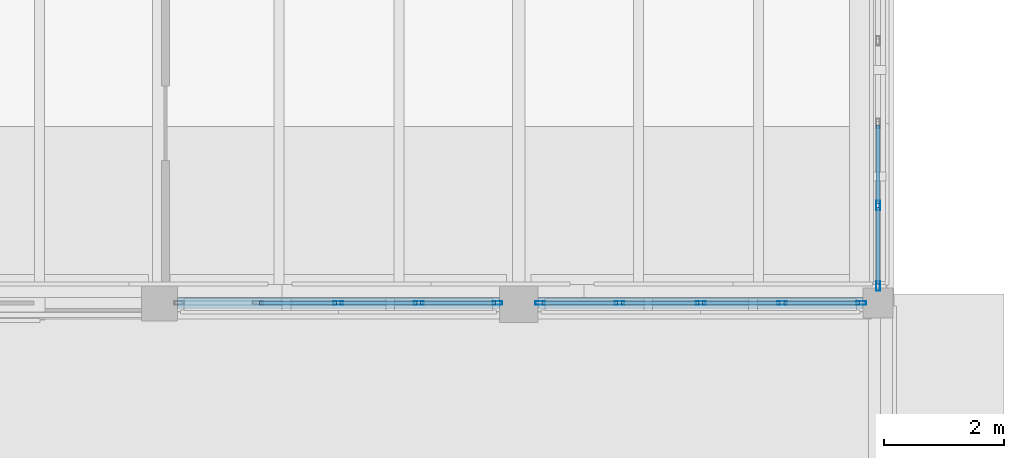
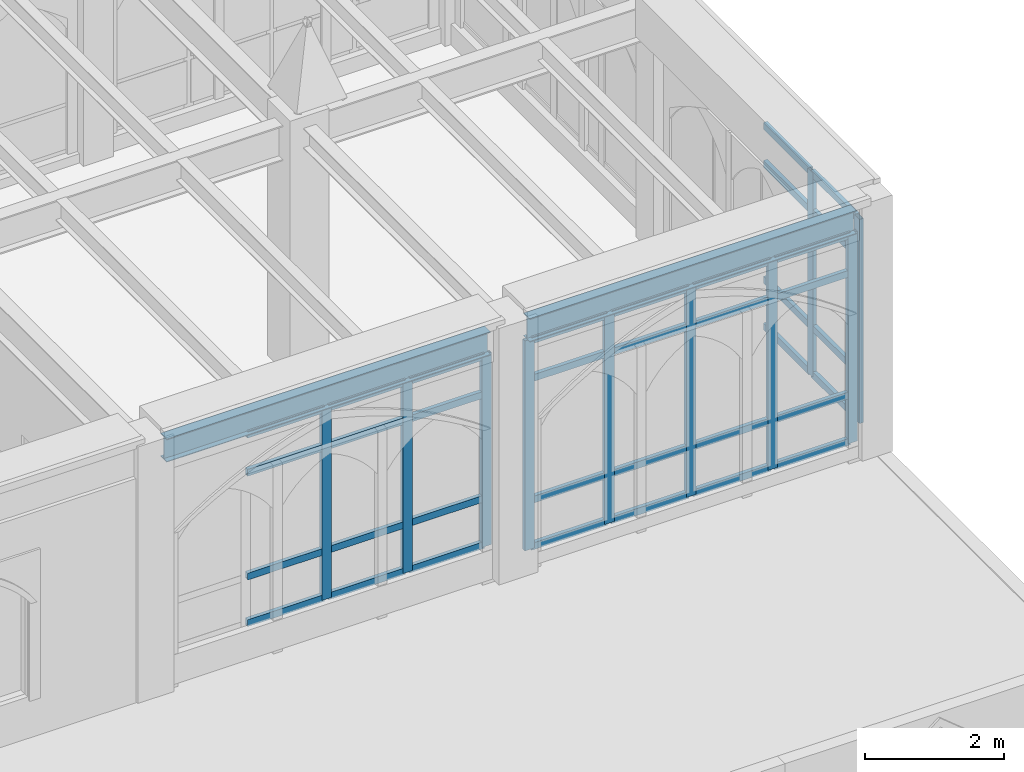
# One storey, part 73 of 143: 46 members, 2 beams, 3 elements without a shape of their own.
"""IFC4 building model written with IfcOpenShell, lengths in metres."""

import ifcopenshell
import ifcopenshell.guid

model = None  # the IFC model being written
_history = None  # IfcOwnerHistory: only IFC2X3 demands one
_inside = {}  # id of a spatial element -> (the spatial element, [elements in it])
_under = {}  # id of a project, library or spatial element -> (it, [spatial elements below it])
_declared = {}  # id of a project -> (the project, [libraries it declares])
_typed = {}  # id of a type object -> (the type object, [elements of that type])
_made_of = {}  # id of a material, layer set ... -> (it, [elements and type objects made of it])


def new_model(schema):
    """Start an empty IFC model of exactly this schema.

    Asked for "IFC4X3", IfcOpenShell would pick the latest addendum, in which some entities
    have other attributes; the version numbers below select the first issue.
    IFC2X3 requires an IfcOwnerHistory on every rooted entity: one is made here for all.
    """
    global model, _history
    if schema == "IFC4X3":
        model = ifcopenshell.file(schema_version=(4, 3, 0, 0))
    else:
        model = ifcopenshell.file(schema=schema)
    _inside.clear()
    _under.clear()
    _declared.clear()
    _typed.clear()
    _made_of.clear()
    _history = None
    if model.schema == "IFC2X3":
        org = make("IfcOrganization", Name="unknown")
        user = make(
            "IfcPersonAndOrganization",
            ThePerson=make("IfcPerson", FamilyName="unknown"),
            TheOrganization=org,
        )
        app = make(
            "IfcApplication",
            ApplicationDeveloper=org,
            Version="unknown",
            ApplicationFullName="unknown",
            ApplicationIdentifier="unknown",
        )
        _history = make(
            "IfcOwnerHistory",
            OwningUser=user,
            OwningApplication=app,
            ChangeAction="ADDED",
            CreationDate=0,
        )
    return model


def make(cls, **values):
    """One entity of the class cls with the attributes given. An attribute that is None is left unset."""
    return model.create_entity(
        cls, **{name: value for name, value in values.items() if value is not None}
    )


def rooted(cls, **values):
    """An entity with a GlobalId (a new one), such as an element, a storey or a relation."""
    return make(cls, GlobalId=ifcopenshell.guid.new(), OwnerHistory=_history, **values)


def si_unit(unit_type, name, prefix=None):
    """IfcSIUnit, for example si_unit("LENGTHUNIT", "METRE", prefix="MILLI")."""
    return make("IfcSIUnit", UnitType=unit_type, Prefix=prefix, Name=name)


def assignment(units):
    """IfcUnitAssignment: the units of a project."""
    return None if units is None else make("IfcUnitAssignment", Units=units)


def point(xyz):
    """IfcCartesianPoint."""
    return None if xyz is None else make("IfcCartesianPoint", Coordinates=xyz)


def direction(xyz):
    """IfcDirection."""
    return None if xyz is None else make("IfcDirection", DirectionRatios=xyz)


def frame(location, z_axis=None, x_axis=None):
    """IfcAxis2Placement3D, a coordinate frame: its origin and axes. An axis left out is left unset."""
    return make(
        "IfcAxis2Placement3D",
        Location=point(location),
        Axis=direction(z_axis),
        RefDirection=direction(x_axis),
    )


def frame_2d(location, x_axis=None):
    """IfcAxis2Placement2D, a coordinate frame in the plane: its origin and x axis."""
    return make(
        "IfcAxis2Placement2D", Location=point(location), RefDirection=direction(x_axis)
    )


def origin():
    """The frame at (0, 0, 0) with its axes left unset."""
    return frame((0.0, 0.0, 0.0))


def origin_2d():
    """The frame at (0, 0) in the plane with its x axis left unset."""
    return frame_2d((0.0, 0.0))


def place(relative_to, where):
    """IfcLocalPlacement: puts the frame where relative to a parent placement (None: the world)."""
    return make(
        "IfcLocalPlacement", PlacementRelTo=relative_to, RelativePlacement=where
    )


def context(
    kind, dimensions, precision=None, world=None, true_north=None, identifier=None
):
    """IfcGeometricRepresentationContext, for example the 3D "Model" context."""
    return make(
        "IfcGeometricRepresentationContext",
        ContextIdentifier=identifier,
        ContextType=kind,
        CoordinateSpaceDimension=dimensions,
        Precision=precision,
        WorldCoordinateSystem=world,
        TrueNorth=true_north,
    )


def subcontext(parent, identifier, kind, view, scale=None):
    """IfcGeometricRepresentationSubContext, for example "Body" below "Model"."""
    return make(
        "IfcGeometricRepresentationSubContext",
        ContextIdentifier=identifier,
        ContextType=kind,
        ParentContext=parent,
        TargetScale=scale,
        TargetView=view,
    )


def project(units=None, contexts=None):
    """IfcProject with its units and contexts."""
    return rooted(
        "IfcProject",
        Name="project",
        RepresentationContexts=contexts,
        UnitsInContext=assignment(units),
    )


def spatial(cls, under=None, at=None, **own):
    """A site, building, storey or space (cls), placed at a placement, below another one or the project."""
    s = rooted(cls, ObjectPlacement=at, **own)
    if under is not None:
        _under.setdefault(under.id(), (under, []))[1].append(s)
    return s


def profile(cls, at=None, kind="AREA", **sizes):
    """A parametric profile (cls). Its sizes go by their IFC names, for example OverallWidth=200.0."""
    return make(cls, ProfileType=kind, Position=at, **sizes)


def hollow_rectangle(**sizes):
    """IfcRectangleHollowProfileDef."""
    return profile("IfcRectangleHollowProfileDef", **sizes)


def i_section(**sizes):
    """IfcIShapeProfileDef."""
    return profile("IfcIShapeProfileDef", **sizes)


def extrude(swept, where, along, depth):
    """IfcExtrudedAreaSolid: the profile swept, set in the frame where, extruded along a direction by depth."""
    return make(
        "IfcExtrudedAreaSolid",
        SweptArea=swept,
        Position=where,
        ExtrudedDirection=direction(along),
        Depth=depth,
    )


def shape(context_of_items, identifier, shape_type, items):
    """IfcShapeRepresentation: the items that make up one representation, for example the "Body"."""
    return make(
        "IfcShapeRepresentation",
        ContextOfItems=context_of_items,
        RepresentationIdentifier=identifier,
        RepresentationType=shape_type,
        Items=items,
    )


def material(Name=None, Category=None):
    """IfcMaterial."""
    return make("IfcMaterial", Name=Name, Category=Category)


def layer(
    of_material, thickness, ventilated=None, Name=None, Category=None, Priority=None
):
    """IfcMaterialLayer: one layer of a wall or slab, of a material (None: an air gap)."""
    return make(
        "IfcMaterialLayer",
        Material=of_material,
        LayerThickness=thickness,
        IsVentilated=ventilated,
        Name=Name,
        Category=Category,
        Priority=Priority,
    )


def layer_set(layers, Name=None):
    """IfcMaterialLayerSet."""
    return make("IfcMaterialLayerSet", MaterialLayers=layers, LayerSetName=Name)


def material_profile(
    of_material, cross_section, Name=None, Category=None, Priority=None
):
    """IfcMaterialProfile: a cross section and its material."""
    return make(
        "IfcMaterialProfile",
        Name=Name,
        Material=of_material,
        Profile=cross_section,
        Priority=Priority,
        Category=Category,
    )


def profile_set(profiles, Name=None, composite=None):
    """IfcMaterialProfileSet."""
    return make(
        "IfcMaterialProfileSet",
        Name=Name,
        MaterialProfiles=profiles,
        CompositeProfile=composite,
    )


def made_of(thing, what):
    """Note that an element or type object is made of a material, layer set ...; save() writes the relation."""
    if what is not None:
        _made_of.setdefault(what.id(), (what, []))[1].append(thing)
    return thing


def type_object(cls, material=None, **own):
    """A type object (cls), such as IfcWallType, which elements share."""
    return made_of(rooted(cls, **own), material)


def element(
    cls,
    number,
    at=None,
    inside=None,
    cuts=None,
    type_object=None,
    material=None,
    context=None,
    identifier="Body",
    shape_type=None,
    held_by="IfcProductDefinitionShape",
    body=None,
    shapes=None,
    **own,
):
    """One element of the class cls, such as IfcWall. Its Tag is "e" and its number.

    at: its placement. inside: the storey or other place that contains it. cuts: it is an
    opening in that element (IfcRelVoidsElement). A single representation is given by context,
    identifier, shape_type and body (its items); several are given by shapes. held_by: the class
    of the entity that holds the representations. save() writes the other relations.
    """
    e = rooted(cls, Tag="e%d" % number, ObjectPlacement=at, **own)
    if body is not None:
        shapes = [shape(context, identifier, shape_type, body)]
    if shapes is not None:
        e.Representation = make(held_by, Representations=shapes)
    if inside is not None:
        _inside.setdefault(inside.id(), (inside, []))[1].append(e)
    if cuts is not None:
        rooted(
            "IfcRelVoidsElement", RelatingBuildingElement=cuts, RelatedOpeningElement=e
        )
    if type_object is not None:
        _typed.setdefault(type_object.id(), (type_object, []))[1].append(e)
    return made_of(e, material)


def aggregate(whole, parts):
    """IfcRelAggregates: a whole, such as a stair, and the parts it consists of."""
    return rooted("IfcRelAggregates", RelatingObject=whole, RelatedObjects=parts)


def save(model, path):
    """Write the relations noted so far, then the file.

    IfcRelAggregates (storeys below a building ...), IfcRelContainedInSpatialStructure (elements
    in a storey), IfcRelDefinesByType, IfcRelAssociatesMaterial and IfcRelDeclares: one each for
    every whole, place, type object, material and project.
    """
    for whole, parts in _under.values():
        aggregate(whole, parts)
    for where, things in _inside.values():
        rooted(
            "IfcRelContainedInSpatialStructure",
            RelatedElements=things,
            RelatingStructure=where,
        )
    for kind, things in _typed.values():
        rooted("IfcRelDefinesByType", RelatedObjects=things, RelatingType=kind)
    for what, things in _made_of.values():
        rooted("IfcRelAssociatesMaterial", RelatedObjects=things, RelatingMaterial=what)
    for by, libraries in _declared.values():
        rooted("IfcRelDeclares", RelatingContext=by, RelatedDefinitions=libraries)
    model.write(path)


model = new_model("IFC4")

# Units and contexts
model_context = context("Model", 3, precision=1e-05, world=origin(), true_north=direction((0.0, 1.0)))
body_context = subcontext(model_context, "Body", "Model", "MODEL_VIEW")
ifc_project = project(units=[si_unit("LENGTHUNIT", "METRE"), si_unit("AREAUNIT", "SQUARE_METRE"), si_unit("VOLUMEUNIT", "CUBIC_METRE"), si_unit("PLANEANGLEUNIT", "RADIAN"), si_unit("MASSUNIT", "GRAM", prefix="KILO")], contexts=[model_context])

# Site, building, storey
site_placement = place(None, origin())
site = spatial("IfcSite", under=ifc_project, at=site_placement, CompositionType="ELEMENT")
building_placement = place(site_placement, origin())
building = spatial("IfcBuilding", under=site, at=building_placement, Name="Cumevento Cable Car Station", CompositionType="ELEMENT")
storey_placement = place(building_placement, frame((0.0, 0.0, 9.0)))
storey = spatial("IfcBuildingStorey", under=building, at=storey_placement, Name="L03", CompositionType="ELEMENT", Elevation=9.0)

# Curtain wall, members
ifc_material_1 = material(Name="Anodised Bronze Aluminium AW-6063-T6", Category="aluminium")
ifc_layer_1 = layer(ifc_material_1, 0.201904296875)
ifc_layer_set_1 = layer_set([ifc_layer_1], Name="Anodised Bronze Aluminium AW-6063-T6")
curtain_wall_type_1 = type_object("IfcCurtainWallType", Name="Lancet Curtain Wall CW-08 1330", PredefinedType="NOTDEFINED", material=ifc_layer_set_1)
curtain_wall_1_placement = place(storey_placement, origin())
curtain_wall_1 = element("IfcCurtainWall", 1, at=curtain_wall_1_placement, inside=storey, type_object=curtain_wall_type_1, Name="Lancet Curtain Wall CW-08 L03 #135", PredefinedType="NOTDEFINED")
ifc_material_2 = material(Name="Anodised Bronze Aluminium AW-6063-T6", Category="aluminium")
ifc_material_profile_1 = material_profile(ifc_material_2, hollow_rectangle(XDim=0.06494140625, YDim=0.159912109375, WallThickness=0.00390625, at=origin_2d()), Name="ALUM65x160x4")
ifc_profile_set_1 = profile_set([ifc_material_profile_1], Name="Anodised Bronze Aluminium AW-6063-T6")
member_type_1 = type_object("IfcMemberType", Name="Curtain Mullion CWM-01 ALUM65x160x4", PredefinedType="MULLION", material=ifc_profile_set_1)
member_1_placement = place(storey_placement, frame((159.642578125, 33.0, 0.52001953125), z_axis=(0.0, 0.0, 1.0), x_axis=(0.0, -1.0, 0.0)))
member_1 = element("IfcMember", 2, at=member_1_placement, type_object=member_type_1, Name="CW-08 mullion 1", PredefinedType="MULLION", context=body_context, shape_type="SweptSolid", body=[
    extrude(hollow_rectangle(XDim=0.06494140625, YDim=0.159912109375, WallThickness=0.00390625, at=origin_2d()), origin(), (0.0, 0.0, 1.0), 3.373046875),
])
member_2_placement = place(storey_placement, frame((158.331298828125, 33.0, 0.52001953125), z_axis=(0.0, 0.0, 1.0), x_axis=(0.0, -1.0, 0.0)))
member_2 = element("IfcMember", 3, at=member_2_placement, type_object=member_type_1, Name="CW-08 mullion 2", PredefinedType="MULLION", context=body_context, shape_type="SweptSolid", body=[
    extrude(hollow_rectangle(XDim=0.06494140625, YDim=0.159912109375, WallThickness=0.00390625, at=origin_2d()), origin(), (0.0, 0.0, 1.0), 3.373046875),
])
member_3_placement = place(storey_placement, frame((156.987548828125, 33.0, 0.52001953125), z_axis=(0.0, 0.0, 1.0), x_axis=(0.0, -1.0, 0.0)))
member_3 = element("IfcMember", 4, at=member_3_placement, type_object=member_type_1, Name="CW-08 mullion 3", PredefinedType="MULLION", context=body_context, shape_type="SweptSolid", body=[
    extrude(hollow_rectangle(XDim=0.06494140625, YDim=0.159912109375, WallThickness=0.00390625, at=origin_2d()), origin(), (0.0, 0.0, 1.0), 3.373046875),
])

ifc_material_3 = material(Name="Anodised Bronze Aluminium AW-6063-T6", Category="aluminium")
ifc_layer_2 = layer(ifc_material_3, 0.214111328125)
ifc_layer_set_2 = layer_set([ifc_layer_2], Name="Anodised Bronze Aluminium AW-6063-T6")
curtain_wall_type_2 = type_object("IfcCurtainWallType", Name="Lancet Curtain Wall CW-10 1410", PredefinedType="NOTDEFINED", material=ifc_layer_set_2)
curtain_wall_2_placement = place(storey_placement, origin())
curtain_wall_2 = element("IfcCurtainWall", 5, at=curtain_wall_2_placement, inside=storey, type_object=curtain_wall_type_2, Name="Lancet Curtain Wall CW-10 L03 #137", PredefinedType="NOTDEFINED")
member_4_placement = place(storey_placement, frame((165.717529296875, 33.0, 0.2099609375), z_axis=(0.0, 0.0, 1.0), x_axis=(0.0, -1.0, 0.0)))
member_4 = element("IfcMember", 6, at=member_4_placement, type_object=member_type_1, Name="CW-10 mullion 1", PredefinedType="MULLION", context=body_context, shape_type="SweptSolid", body=[
    extrude(hollow_rectangle(XDim=0.06494140625, YDim=0.159912109375, WallThickness=0.00390625, at=origin_2d()), origin(), (0.0, 0.0, 1.0), 3.68310546875),
])
member_5_placement = place(storey_placement, frame((164.393798828125, 33.0, 0.2099609375), z_axis=(0.0, 0.0, 1.0), x_axis=(0.0, -1.0, 0.0)))
member_5 = element("IfcMember", 7, at=member_5_placement, type_object=member_type_1, Name="CW-10 mullion 2", PredefinedType="MULLION", context=body_context, shape_type="SweptSolid", body=[
    extrude(hollow_rectangle(XDim=0.06494140625, YDim=0.159912109375, WallThickness=0.00390625, at=origin_2d()), origin(), (0.0, 0.0, 1.0), 3.68310546875),
])
member_6_placement = place(storey_placement, frame((163.03759765625, 33.0, 0.2099609375), z_axis=(0.0, 0.0, 1.0), x_axis=(0.0, -1.0, 0.0)))
member_6 = element("IfcMember", 8, at=member_6_placement, type_object=member_type_1, Name="CW-10 mullion 3", PredefinedType="MULLION", context=body_context, shape_type="SweptSolid", body=[
    extrude(hollow_rectangle(XDim=0.06494140625, YDim=0.159912109375, WallThickness=0.00390625, at=origin_2d()), origin(), (0.0, 0.0, 1.0), 3.68310546875),
])
member_7_placement = place(storey_placement, frame((161.68115234375, 33.0, 0.2099609375), z_axis=(0.0, 0.0, 1.0), x_axis=(0.0, -1.0, 0.0)))
member_7 = element("IfcMember", 9, at=member_7_placement, type_object=member_type_1, Name="CW-10 mullion 4", PredefinedType="MULLION", context=body_context, shape_type="SweptSolid", body=[
    extrude(hollow_rectangle(XDim=0.06494140625, YDim=0.159912109375, WallThickness=0.00390625, at=origin_2d()), origin(), (0.0, 0.0, 1.0), 3.68310546875),
])
member_8_placement = place(storey_placement, frame((160.357421875, 33.0, 0.2099609375), z_axis=(0.0, 0.0, 1.0), x_axis=(0.0, -1.0, 0.0)))
member_8 = element("IfcMember", 10, at=member_8_placement, type_object=member_type_1, Name="CW-10 mullion 5", PredefinedType="MULLION", context=body_context, shape_type="SweptSolid", body=[
    extrude(hollow_rectangle(XDim=0.06494140625, YDim=0.159912109375, WallThickness=0.00390625, at=origin_2d()), origin(), (0.0, 0.0, 1.0), 3.68310546875),
])

ifc_material_4 = material(Name="Anodised Bronze Aluminium AW-6063-T6", Category="aluminium")
ifc_layer_3 = layer(ifc_material_4, 0.22607421875)
ifc_layer_set_3 = layer_set([ifc_layer_3], Name="Anodised Bronze Aluminium AW-6063-T6")
curtain_wall_type_3 = type_object("IfcCurtainWallType", Name="Lancet Curtain Wall CW-12 1490", PredefinedType="NOTDEFINED", material=ifc_layer_set_3)
curtain_wall_3_placement = place(storey_placement, origin())
curtain_wall_3 = element("IfcCurtainWall", 11, at=curtain_wall_3_placement, inside=storey, type_object=curtain_wall_type_3, Name="Lancet Curtain Wall CW-12 L03 #139", PredefinedType="NOTDEFINED")
member_9_placement = place(storey_placement, frame((166.0, 34.625, 0.31005859375), z_axis=(0.0, 0.0, 1.0), x_axis=(1.0, 0.0, 0.0)))
member_9 = element("IfcMember", 12, at=member_9_placement, type_object=member_type_1, Name="CW-12 mullion 4", PredefinedType="MULLION", context=body_context, shape_type="SweptSolid", body=[
    extrude(hollow_rectangle(XDim=0.06494140625, YDim=0.159912109375, WallThickness=0.00390625, at=origin_2d()), origin(), (0.0, 0.0, 1.0), 3.5830078125),
])
member_10_placement = place(storey_placement, frame((166.0, 33.282470703125, 0.31005859375), z_axis=(0.0, 0.0, 1.0), x_axis=(1.0, 0.0, 0.0)))
member_10 = element("IfcMember", 13, at=member_10_placement, type_object=member_type_1, Name="CW-12 mullion 5", PredefinedType="MULLION", context=body_context, shape_type="SweptSolid", body=[
    extrude(hollow_rectangle(XDim=0.06494140625, YDim=0.159912109375, WallThickness=0.00390625, at=origin_2d()), origin(), (0.0, 0.0, 1.0), 3.5830078125),
])

# Member
ifc_material_5 = material(Name="Anodised Bronze Aluminium AW-6063-T6", Category="aluminium")
ifc_material_profile_2 = material_profile(ifc_material_5, hollow_rectangle(XDim=0.06494140625, YDim=0.1201171875, WallThickness=0.00390625, at=origin_2d()), Name="ALUT65x120x4")
ifc_profile_set_2 = profile_set([ifc_material_profile_2], Name="Anodised Bronze Aluminium AW-6063-T6")
member_type_2 = type_object("IfcMemberType", Name="Curtain Transom CWT-01 ALUT65x120x4", PredefinedType="USERDEFINED", material=ifc_profile_set_2)
member_11_placement = place(storey_placement, frame((159.610107421875, 33.0, 0.552490234375), z_axis=(-1.0, 0.0, 0.0), x_axis=(0.0, -1.0, 0.0)))
member_11 = element("IfcMember", 14, at=member_11_placement, type_object=member_type_2, Name="CW-08 transom 1.1", ObjectType="TRANSOM", PredefinedType="USERDEFINED", context=body_context, shape_type="SweptSolid", body=[
    extrude(hollow_rectangle(XDim=0.06494140625, YDim=0.1201171875, WallThickness=0.00390625, at=origin_2d()), origin(), (0.0, 0.0, 1.0), 1.246337890625),
])

member_12_placement = place(storey_placement, frame((159.610107421875, 33.0, 1.3701171875), z_axis=(-1.0, 0.0, 0.0), x_axis=(0.0, -1.0, 0.0)))
member_12 = element("IfcMember", 15, at=member_12_placement, type_object=member_type_2, Name="CW-08 transom 1.2", ObjectType="TRANSOM", PredefinedType="USERDEFINED", context=body_context, shape_type="SweptSolid", body=[
    extrude(hollow_rectangle(XDim=0.06494140625, YDim=0.1201171875, WallThickness=0.00390625, at=origin_2d()), origin(), (0.0, 0.0, 1.0), 1.246337890625),
])

member_13_placement = place(storey_placement, frame((159.610107421875, 33.0, 3.193115234375), z_axis=(-1.0, 0.0, 0.0), x_axis=(0.0, -1.0, 0.0)))
member_13 = element("IfcMember", 16, at=member_13_placement, type_object=member_type_2, Name="CW-08 transom 1.3", ObjectType="TRANSOM", PredefinedType="USERDEFINED", context=body_context, shape_type="SweptSolid", body=[
    extrude(hollow_rectangle(XDim=0.06494140625, YDim=0.1201171875, WallThickness=0.00390625, at=origin_2d()), origin(), (0.0, 0.0, 1.0), 1.246337890625),
])

member_14_placement = place(storey_placement, frame((159.610107421875, 33.0, 3.860595703125), z_axis=(-1.0, 0.0, 0.0), x_axis=(0.0, -1.0, 0.0)))
member_14 = element("IfcMember", 17, at=member_14_placement, type_object=member_type_2, Name="CW-08 transom 1.4", ObjectType="TRANSOM", PredefinedType="USERDEFINED", context=body_context, shape_type="SweptSolid", body=[
    extrude(hollow_rectangle(XDim=0.06494140625, YDim=0.1201171875, WallThickness=0.00390625, at=origin_2d()), origin(), (0.0, 0.0, 1.0), 1.246337890625),
])

member_15_placement = place(storey_placement, frame((158.298828125, 33.0, 0.552490234375), z_axis=(-1.0, 0.0, 0.0), x_axis=(0.0, -1.0, 0.0)))
member_15 = element("IfcMember", 18, at=member_15_placement, type_object=member_type_2, Name="CW-08 transom 2.1", ObjectType="TRANSOM", PredefinedType="USERDEFINED", context=body_context, shape_type="SweptSolid", body=[
    extrude(hollow_rectangle(XDim=0.06494140625, YDim=0.1201171875, WallThickness=0.00390625, at=origin_2d()), origin(), (0.0, 0.0, 1.0), 1.27880859375),
])

member_16_placement = place(storey_placement, frame((158.298828125, 33.0, 1.3701171875), z_axis=(-1.0, 0.0, 0.0), x_axis=(0.0, -1.0, 0.0)))
member_16 = element("IfcMember", 19, at=member_16_placement, type_object=member_type_2, Name="CW-08 transom 2.2", ObjectType="TRANSOM", PredefinedType="USERDEFINED", context=body_context, shape_type="SweptSolid", body=[
    extrude(hollow_rectangle(XDim=0.06494140625, YDim=0.1201171875, WallThickness=0.00390625, at=origin_2d()), origin(), (0.0, 0.0, 1.0), 1.27880859375),
])

member_17_placement = place(storey_placement, frame((158.298828125, 33.0, 3.193115234375), z_axis=(-1.0, 0.0, 0.0), x_axis=(0.0, -1.0, 0.0)))
member_17 = element("IfcMember", 20, at=member_17_placement, type_object=member_type_2, Name="CW-08 transom 2.3", ObjectType="TRANSOM", PredefinedType="USERDEFINED", context=body_context, shape_type="SweptSolid", body=[
    extrude(hollow_rectangle(XDim=0.06494140625, YDim=0.1201171875, WallThickness=0.00390625, at=origin_2d()), origin(), (0.0, 0.0, 1.0), 1.27880859375),
])

member_18_placement = place(storey_placement, frame((158.298828125, 33.0, 3.860595703125), z_axis=(-1.0, 0.0, 0.0), x_axis=(0.0, -1.0, 0.0)))
member_18 = element("IfcMember", 21, at=member_18_placement, type_object=member_type_2, Name="CW-08 transom 2.4", ObjectType="TRANSOM", PredefinedType="USERDEFINED", context=body_context, shape_type="SweptSolid", body=[
    extrude(hollow_rectangle(XDim=0.06494140625, YDim=0.1201171875, WallThickness=0.00390625, at=origin_2d()), origin(), (0.0, 0.0, 1.0), 1.27880859375),
])

member_19_placement = place(storey_placement, frame((156.955078125, 33.0, 0.552490234375), z_axis=(-1.0, 0.0, 0.0), x_axis=(0.0, -1.0, 0.0)))
member_19 = element("IfcMember", 22, at=member_19_placement, type_object=member_type_2, Name="CW-08 transom 3.1", ObjectType="TRANSOM", PredefinedType="USERDEFINED", context=body_context, shape_type="SweptSolid", body=[
    extrude(hollow_rectangle(XDim=0.06494140625, YDim=0.1201171875, WallThickness=0.00390625, at=origin_2d()), origin(), (0.0, 0.0, 1.0), 1.27880859375),
])

member_20_placement = place(storey_placement, frame((156.955078125, 33.0, 1.3701171875), z_axis=(-1.0, 0.0, 0.0), x_axis=(0.0, -1.0, 0.0)))
member_20 = element("IfcMember", 23, at=member_20_placement, type_object=member_type_2, Name="CW-08 transom 3.2", ObjectType="TRANSOM", PredefinedType="USERDEFINED", context=body_context, shape_type="SweptSolid", body=[
    extrude(hollow_rectangle(XDim=0.06494140625, YDim=0.1201171875, WallThickness=0.00390625, at=origin_2d()), origin(), (0.0, 0.0, 1.0), 1.27880859375),
])

member_21_placement = place(storey_placement, frame((156.955078125, 33.0, 3.193115234375), z_axis=(-1.0, 0.0, 0.0), x_axis=(0.0, -1.0, 0.0)))
member_21 = element("IfcMember", 24, at=member_21_placement, type_object=member_type_2, Name="CW-08 transom 3.3", ObjectType="TRANSOM", PredefinedType="USERDEFINED", context=body_context, shape_type="SweptSolid", body=[
    extrude(hollow_rectangle(XDim=0.06494140625, YDim=0.1201171875, WallThickness=0.00390625, at=origin_2d()), origin(), (0.0, 0.0, 1.0), 1.27880859375),
])

member_22_placement = place(storey_placement, frame((156.955078125, 33.0, 3.860595703125), z_axis=(-1.0, 0.0, 0.0), x_axis=(0.0, -1.0, 0.0)))
member_22 = element("IfcMember", 25, at=member_22_placement, type_object=member_type_2, Name="CW-08 transom 3.4", ObjectType="TRANSOM", PredefinedType="USERDEFINED", context=body_context, shape_type="SweptSolid", body=[
    extrude(hollow_rectangle(XDim=0.06494140625, YDim=0.1201171875, WallThickness=0.00390625, at=origin_2d()), origin(), (0.0, 0.0, 1.0), 1.27880859375),
])

aggregate(curtain_wall_1, [member_1, member_2, member_3, member_11, member_12, member_13, member_14, member_15, member_16, member_17, member_18, member_19, member_20, member_21, member_22])

member_23_placement = place(storey_placement, frame((165.68505859375, 33.0, 0.242431640625), z_axis=(-1.0, 0.0, 0.0), x_axis=(0.0, -1.0, 0.0)))
member_23 = element("IfcMember", 26, at=member_23_placement, type_object=member_type_2, Name="CW-10 transom 1.1", ObjectType="TRANSOM", PredefinedType="USERDEFINED", context=body_context, shape_type="SweptSolid", body=[
    extrude(hollow_rectangle(XDim=0.06494140625, YDim=0.1201171875, WallThickness=0.00390625, at=origin_2d()), origin(), (0.0, 0.0, 1.0), 1.2587890625),
])

member_24_placement = place(storey_placement, frame((165.68505859375, 33.0, 1.06005859375), z_axis=(-1.0, 0.0, 0.0), x_axis=(0.0, -1.0, 0.0)))
member_24 = element("IfcMember", 27, at=member_24_placement, type_object=member_type_2, Name="CW-10 transom 1.2", ObjectType="TRANSOM", PredefinedType="USERDEFINED", context=body_context, shape_type="SweptSolid", body=[
    extrude(hollow_rectangle(XDim=0.06494140625, YDim=0.1201171875, WallThickness=0.00390625, at=origin_2d()), origin(), (0.0, 0.0, 1.0), 1.2587890625),
])

member_25_placement = place(storey_placement, frame((165.68505859375, 33.0, 3.193115234375), z_axis=(-1.0, 0.0, 0.0), x_axis=(0.0, -1.0, 0.0)))
member_25 = element("IfcMember", 28, at=member_25_placement, type_object=member_type_2, Name="CW-10 transom 1.3", ObjectType="TRANSOM", PredefinedType="USERDEFINED", context=body_context, shape_type="SweptSolid", body=[
    extrude(hollow_rectangle(XDim=0.06494140625, YDim=0.1201171875, WallThickness=0.00390625, at=origin_2d()), origin(), (0.0, 0.0, 1.0), 1.2587890625),
])

member_26_placement = place(storey_placement, frame((165.68505859375, 33.0, 3.860595703125), z_axis=(-1.0, 0.0, 0.0), x_axis=(0.0, -1.0, 0.0)))
member_26 = element("IfcMember", 29, at=member_26_placement, type_object=member_type_2, Name="CW-10 transom 1.4", ObjectType="TRANSOM", PredefinedType="USERDEFINED", context=body_context, shape_type="SweptSolid", body=[
    extrude(hollow_rectangle(XDim=0.06494140625, YDim=0.1201171875, WallThickness=0.00390625, at=origin_2d()), origin(), (0.0, 0.0, 1.0), 1.2587890625),
])

member_27_placement = place(storey_placement, frame((164.361328125, 33.0, 0.242431640625), z_axis=(-1.0, 0.0, 0.0), x_axis=(0.0, -1.0, 0.0)))
member_27 = element("IfcMember", 30, at=member_27_placement, type_object=member_type_2, Name="CW-10 transom 2.1", ObjectType="TRANSOM", PredefinedType="USERDEFINED", context=body_context, shape_type="SweptSolid", body=[
    extrude(hollow_rectangle(XDim=0.06494140625, YDim=0.1201171875, WallThickness=0.00390625, at=origin_2d()), origin(), (0.0, 0.0, 1.0), 1.291259765625),
])

member_28_placement = place(storey_placement, frame((164.361328125, 33.0, 1.06005859375), z_axis=(-1.0, 0.0, 0.0), x_axis=(0.0, -1.0, 0.0)))
member_28 = element("IfcMember", 31, at=member_28_placement, type_object=member_type_2, Name="CW-10 transom 2.2", ObjectType="TRANSOM", PredefinedType="USERDEFINED", context=body_context, shape_type="SweptSolid", body=[
    extrude(hollow_rectangle(XDim=0.06494140625, YDim=0.1201171875, WallThickness=0.00390625, at=origin_2d()), origin(), (0.0, 0.0, 1.0), 1.291259765625),
])

member_29_placement = place(storey_placement, frame((164.361328125, 33.0, 3.193115234375), z_axis=(-1.0, 0.0, 0.0), x_axis=(0.0, -1.0, 0.0)))
member_29 = element("IfcMember", 32, at=member_29_placement, type_object=member_type_2, Name="CW-10 transom 2.3", ObjectType="TRANSOM", PredefinedType="USERDEFINED", context=body_context, shape_type="SweptSolid", body=[
    extrude(hollow_rectangle(XDim=0.06494140625, YDim=0.1201171875, WallThickness=0.00390625, at=origin_2d()), origin(), (0.0, 0.0, 1.0), 1.291259765625),
])

member_30_placement = place(storey_placement, frame((164.361328125, 33.0, 3.860595703125), z_axis=(-1.0, 0.0, 0.0), x_axis=(0.0, -1.0, 0.0)))
member_30 = element("IfcMember", 33, at=member_30_placement, type_object=member_type_2, Name="CW-10 transom 2.4", ObjectType="TRANSOM", PredefinedType="USERDEFINED", context=body_context, shape_type="SweptSolid", body=[
    extrude(hollow_rectangle(XDim=0.06494140625, YDim=0.1201171875, WallThickness=0.00390625, at=origin_2d()), origin(), (0.0, 0.0, 1.0), 1.291259765625),
])

member_31_placement = place(storey_placement, frame((163.0048828125, 33.0, 0.242431640625), z_axis=(-1.0, 0.0, 0.0), x_axis=(0.0, -1.0, 0.0)))
member_31 = element("IfcMember", 34, at=member_31_placement, type_object=member_type_2, Name="CW-10 transom 3.1", ObjectType="TRANSOM", PredefinedType="USERDEFINED", context=body_context, shape_type="SweptSolid", body=[
    extrude(hollow_rectangle(XDim=0.06494140625, YDim=0.1201171875, WallThickness=0.00390625, at=origin_2d()), origin(), (0.0, 0.0, 1.0), 1.291015625),
])

member_32_placement = place(storey_placement, frame((163.0048828125, 33.0, 1.06005859375), z_axis=(-1.0, 0.0, 0.0), x_axis=(0.0, -1.0, 0.0)))
member_32 = element("IfcMember", 35, at=member_32_placement, type_object=member_type_2, Name="CW-10 transom 3.2", ObjectType="TRANSOM", PredefinedType="USERDEFINED", context=body_context, shape_type="SweptSolid", body=[
    extrude(hollow_rectangle(XDim=0.06494140625, YDim=0.1201171875, WallThickness=0.00390625, at=origin_2d()), origin(), (0.0, 0.0, 1.0), 1.291015625),
])

member_33_placement = place(storey_placement, frame((163.0048828125, 33.0, 3.193115234375), z_axis=(-1.0, 0.0, 0.0), x_axis=(0.0, -1.0, 0.0)))
member_33 = element("IfcMember", 36, at=member_33_placement, type_object=member_type_2, Name="CW-10 transom 3.3", ObjectType="TRANSOM", PredefinedType="USERDEFINED", context=body_context, shape_type="SweptSolid", body=[
    extrude(hollow_rectangle(XDim=0.06494140625, YDim=0.1201171875, WallThickness=0.00390625, at=origin_2d()), origin(), (0.0, 0.0, 1.0), 1.291015625),
])

member_34_placement = place(storey_placement, frame((163.0048828125, 33.0, 3.860595703125), z_axis=(-1.0, 0.0, 0.0), x_axis=(0.0, -1.0, 0.0)))
member_34 = element("IfcMember", 37, at=member_34_placement, type_object=member_type_2, Name="CW-10 transom 3.4", ObjectType="TRANSOM", PredefinedType="USERDEFINED", context=body_context, shape_type="SweptSolid", body=[
    extrude(hollow_rectangle(XDim=0.06494140625, YDim=0.1201171875, WallThickness=0.00390625, at=origin_2d()), origin(), (0.0, 0.0, 1.0), 1.291015625),
])

member_35_placement = place(storey_placement, frame((161.648681640625, 33.0, 0.242431640625), z_axis=(-1.0, 0.0, 0.0), x_axis=(0.0, -1.0, 0.0)))
member_35 = element("IfcMember", 38, at=member_35_placement, type_object=member_type_2, Name="CW-10 transom 4.1", ObjectType="TRANSOM", PredefinedType="USERDEFINED", context=body_context, shape_type="SweptSolid", body=[
    extrude(hollow_rectangle(XDim=0.06494140625, YDim=0.1201171875, WallThickness=0.00390625, at=origin_2d()), origin(), (0.0, 0.0, 1.0), 1.2587890625),
])

member_36_placement = place(storey_placement, frame((161.648681640625, 33.0, 1.06005859375), z_axis=(-1.0, 0.0, 0.0), x_axis=(0.0, -1.0, 0.0)))
member_36 = element("IfcMember", 39, at=member_36_placement, type_object=member_type_2, Name="CW-10 transom 4.2", ObjectType="TRANSOM", PredefinedType="USERDEFINED", context=body_context, shape_type="SweptSolid", body=[
    extrude(hollow_rectangle(XDim=0.06494140625, YDim=0.1201171875, WallThickness=0.00390625, at=origin_2d()), origin(), (0.0, 0.0, 1.0), 1.2587890625),
])

member_37_placement = place(storey_placement, frame((161.648681640625, 33.0, 3.193115234375), z_axis=(-1.0, 0.0, 0.0), x_axis=(0.0, -1.0, 0.0)))
member_37 = element("IfcMember", 40, at=member_37_placement, type_object=member_type_2, Name="CW-10 transom 4.3", ObjectType="TRANSOM", PredefinedType="USERDEFINED", context=body_context, shape_type="SweptSolid", body=[
    extrude(hollow_rectangle(XDim=0.06494140625, YDim=0.1201171875, WallThickness=0.00390625, at=origin_2d()), origin(), (0.0, 0.0, 1.0), 1.2587890625),
])

member_38_placement = place(storey_placement, frame((161.648681640625, 33.0, 3.860595703125), z_axis=(-1.0, 0.0, 0.0), x_axis=(0.0, -1.0, 0.0)))
member_38 = element("IfcMember", 41, at=member_38_placement, type_object=member_type_2, Name="CW-10 transom 4.4", ObjectType="TRANSOM", PredefinedType="USERDEFINED", context=body_context, shape_type="SweptSolid", body=[
    extrude(hollow_rectangle(XDim=0.06494140625, YDim=0.1201171875, WallThickness=0.00390625, at=origin_2d()), origin(), (0.0, 0.0, 1.0), 1.2587890625),
])

aggregate(curtain_wall_2, [member_4, member_5, member_6, member_7, member_8, member_23, member_24, member_25, member_26, member_27, member_28, member_29, member_30, member_31, member_32, member_33, member_34, member_35, member_36, member_37, member_38])

member_39_placement = place(storey_placement, frame((166.0, 35.967529296875, 0.342529296875), z_axis=(0.0, -1.0, 0.0), x_axis=(1.0, 0.0, 0.0)))
member_39 = element("IfcMember", 42, at=member_39_placement, type_object=member_type_2, Name="CW-12 transom 3.1", ObjectType="TRANSOM", PredefinedType="USERDEFINED", context=body_context, shape_type="SweptSolid", body=[
    extrude(hollow_rectangle(XDim=0.06494140625, YDim=0.1201171875, WallThickness=0.00390625, at=origin_2d()), origin(), (0.0, 0.0, 1.0), 1.31005859375),
])

member_40_placement = place(storey_placement, frame((166.0, 35.967529296875, 1.159912109375), z_axis=(0.0, -1.0, 0.0), x_axis=(1.0, 0.0, 0.0)))
member_40 = element("IfcMember", 43, at=member_40_placement, type_object=member_type_2, Name="CW-12 transom 3.2", ObjectType="TRANSOM", PredefinedType="USERDEFINED", context=body_context, shape_type="SweptSolid", body=[
    extrude(hollow_rectangle(XDim=0.06494140625, YDim=0.1201171875, WallThickness=0.00390625, at=origin_2d()), origin(), (0.0, 0.0, 1.0), 1.31005859375),
])

member_41_placement = place(storey_placement, frame((166.0, 35.967529296875, 3.193115234375), z_axis=(0.0, -1.0, 0.0), x_axis=(1.0, 0.0, 0.0)))
member_41 = element("IfcMember", 44, at=member_41_placement, type_object=member_type_2, Name="CW-12 transom 3.3", ObjectType="TRANSOM", PredefinedType="USERDEFINED", context=body_context, shape_type="SweptSolid", body=[
    extrude(hollow_rectangle(XDim=0.06494140625, YDim=0.1201171875, WallThickness=0.00390625, at=origin_2d()), origin(), (0.0, 0.0, 1.0), 1.31005859375),
])

member_42_placement = place(storey_placement, frame((166.0, 35.967529296875, 3.860595703125), z_axis=(0.0, -1.0, 0.0), x_axis=(1.0, 0.0, 0.0)))
member_42 = element("IfcMember", 45, at=member_42_placement, type_object=member_type_2, Name="CW-12 transom 3.4", ObjectType="TRANSOM", PredefinedType="USERDEFINED", context=body_context, shape_type="SweptSolid", body=[
    extrude(hollow_rectangle(XDim=0.06494140625, YDim=0.1201171875, WallThickness=0.00390625, at=origin_2d()), origin(), (0.0, 0.0, 1.0), 1.31005859375),
])

member_43_placement = place(storey_placement, frame((166.0, 34.592529296875, 0.342529296875), z_axis=(0.0, -1.0, 0.0), x_axis=(1.0, 0.0, 0.0)))
member_43 = element("IfcMember", 46, at=member_43_placement, type_object=member_type_2, Name="CW-12 transom 4.1", ObjectType="TRANSOM", PredefinedType="USERDEFINED", context=body_context, shape_type="SweptSolid", body=[
    extrude(hollow_rectangle(XDim=0.06494140625, YDim=0.1201171875, WallThickness=0.00390625, at=origin_2d()), origin(), (0.0, 0.0, 1.0), 1.277587890625),
])

member_44_placement = place(storey_placement, frame((166.0, 34.592529296875, 1.159912109375), z_axis=(0.0, -1.0, 0.0), x_axis=(1.0, 0.0, 0.0)))
member_44 = element("IfcMember", 47, at=member_44_placement, type_object=member_type_2, Name="CW-12 transom 4.2", ObjectType="TRANSOM", PredefinedType="USERDEFINED", context=body_context, shape_type="SweptSolid", body=[
    extrude(hollow_rectangle(XDim=0.06494140625, YDim=0.1201171875, WallThickness=0.00390625, at=origin_2d()), origin(), (0.0, 0.0, 1.0), 1.277587890625),
])

member_45_placement = place(storey_placement, frame((166.0, 34.592529296875, 3.193115234375), z_axis=(0.0, -1.0, 0.0), x_axis=(1.0, 0.0, 0.0)))
member_45 = element("IfcMember", 48, at=member_45_placement, type_object=member_type_2, Name="CW-12 transom 4.3", ObjectType="TRANSOM", PredefinedType="USERDEFINED", context=body_context, shape_type="SweptSolid", body=[
    extrude(hollow_rectangle(XDim=0.06494140625, YDim=0.1201171875, WallThickness=0.00390625, at=origin_2d()), origin(), (0.0, 0.0, 1.0), 1.277587890625),
])

member_46_placement = place(storey_placement, frame((166.0, 34.592529296875, 3.860595703125), z_axis=(0.0, -1.0, 0.0), x_axis=(1.0, 0.0, 0.0)))
member_46 = element("IfcMember", 49, at=member_46_placement, type_object=member_type_2, Name="CW-12 transom 4.4", ObjectType="TRANSOM", PredefinedType="USERDEFINED", context=body_context, shape_type="SweptSolid", body=[
    extrude(hollow_rectangle(XDim=0.06494140625, YDim=0.1201171875, WallThickness=0.00390625, at=origin_2d()), origin(), (0.0, 0.0, 1.0), 1.277587890625),
])

aggregate(curtain_wall_3, [member_9, member_10, member_39, member_40, member_41, member_42, member_43, member_44, member_45, member_46])

# Beams
ifc_material_6 = material(Name="Steel ASTM A572 Grade 50", Category="steel")
ifc_material_profile_3 = material_profile(ifc_material_6, i_section(OverallWidth=0.177978515625, OverallDepth=0.406982421875, WebThickness=0.0078125, FlangeThickness=0.0126953125, at=origin_2d()), Name="W410x60.0")
ifc_profile_set_3 = profile_set([ifc_material_profile_3], Name="Steel ASTM A572 Grade 50")
beam_type = type_object("IfcBeamType", Name="Structural Spandrel SP-01 W410x60.0", PredefinedType="SPANDREL", material=ifc_profile_set_3)
beam_1_placement = place(storey_placement, frame((154.300048828125, 33.0, 4.096435546875), z_axis=(1.0, 0.0, 0.0), x_axis=(0.0, 1.0, 0.0)))
element("IfcBeam", 50, at=beam_1_placement, inside=storey, type_object=beam_type, Name="Beam SP-01 L03 #1167", PredefinedType="SPANDREL", context=body_context, shape_type="SweptSolid", body=[
    extrude(i_section(OverallWidth=0.177978515625, OverallDepth=0.406982421875, WebThickness=0.0078125, FlangeThickness=0.0126953125, at=origin_2d()), origin(), (0.0, 0.0, 1.0), 5.375),
])
beam_2_placement = place(storey_placement, frame((160.324951171875, 33.0, 4.096435546875), z_axis=(1.0, 0.0, 0.0), x_axis=(0.0, 1.0, 0.0)))
element("IfcBeam", 51, at=beam_2_placement, inside=storey, type_object=beam_type, Name="Beam SP-01 L03 #1168", PredefinedType="SPANDREL", context=body_context, shape_type="SweptSolid", body=[
    extrude(i_section(OverallWidth=0.177978515625, OverallDepth=0.406982421875, WebThickness=0.0078125, FlangeThickness=0.0126953125, at=origin_2d()), origin(), (0.0, 0.0, 1.0), 5.425048828125),
])

save(model, "model.ifc")
